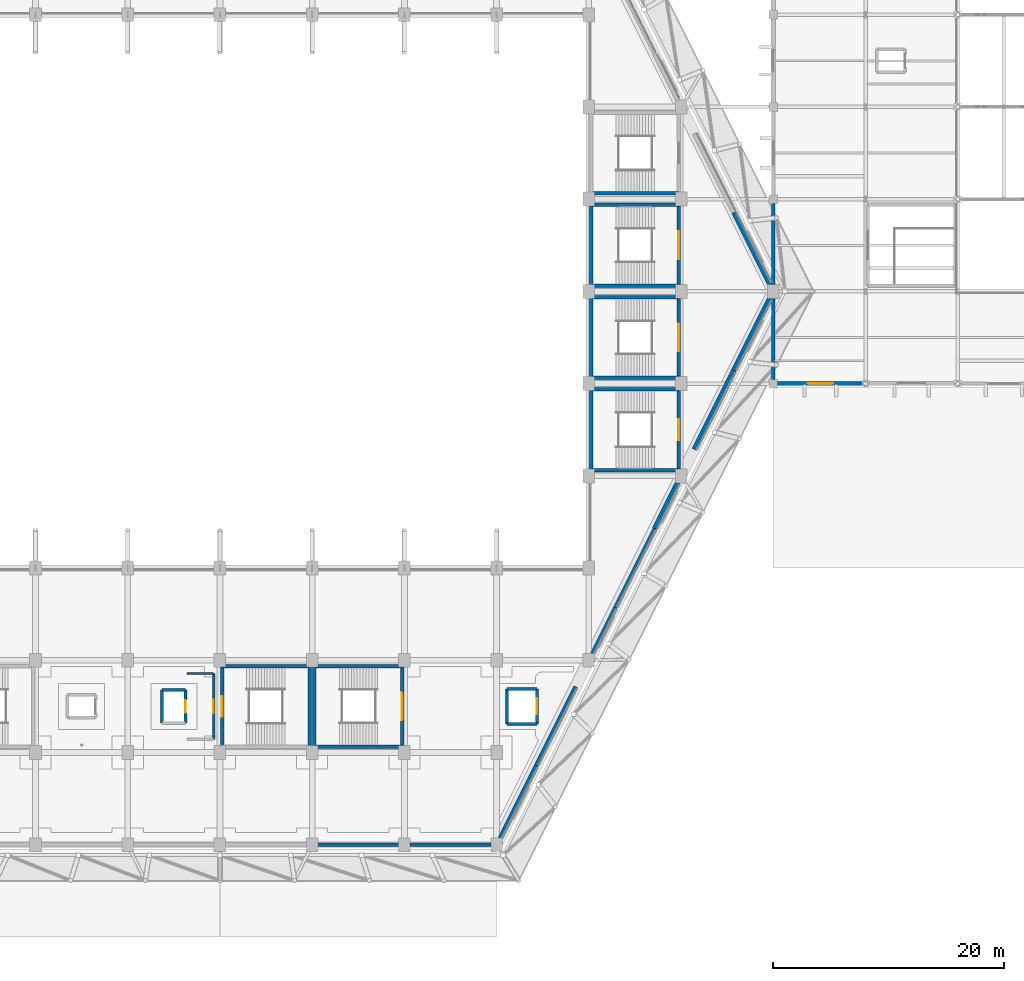
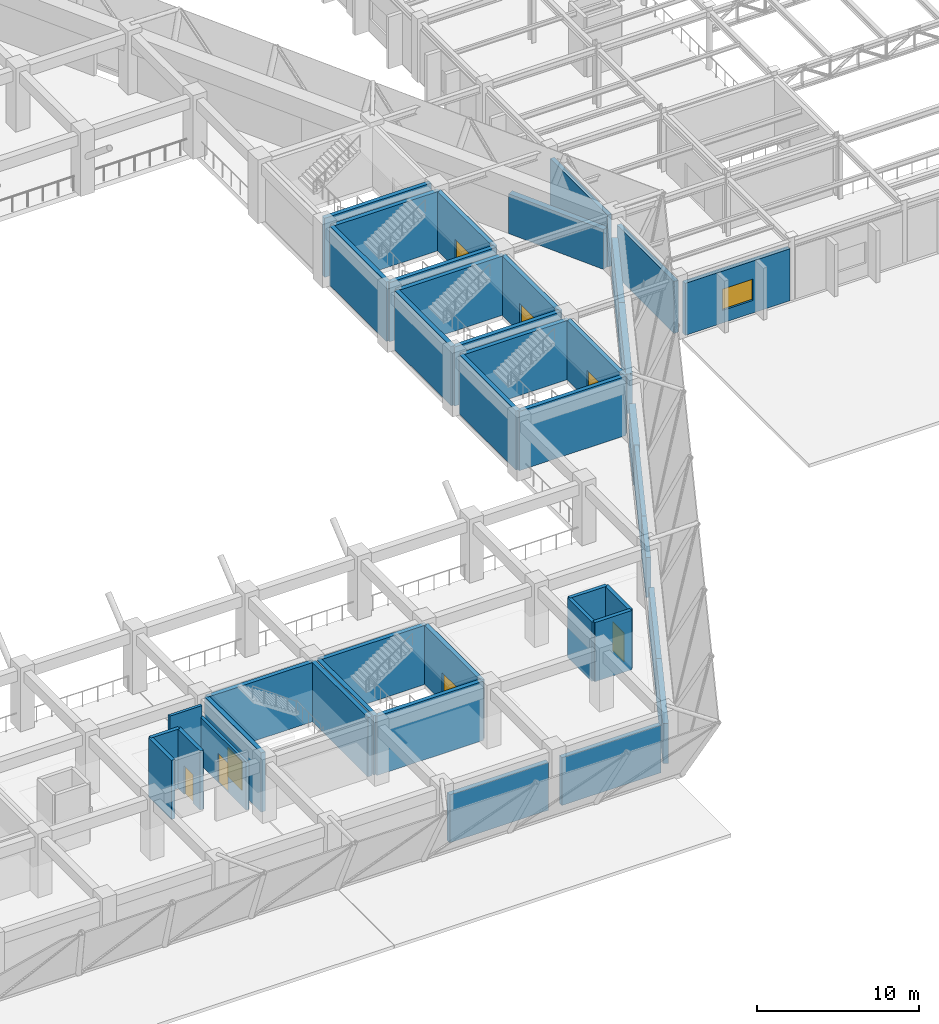
# One storey, part 31 of 46: 42 walls, 8 doors, 1 window, 9 openings.
"""IFC4 building model written with IfcOpenShell, lengths in metres."""

import ifcopenshell
import ifcopenshell.guid

model = None  # the IFC model being written
_history = None  # IfcOwnerHistory: only IFC2X3 demands one
_inside = {}  # id of a spatial element -> (the spatial element, [elements in it])
_under = {}  # id of a project, library or spatial element -> (it, [spatial elements below it])
_declared = {}  # id of a project -> (the project, [libraries it declares])
_typed = {}  # id of a type object -> (the type object, [elements of that type])
_made_of = {}  # id of a material, layer set ... -> (it, [elements and type objects made of it])


def new_model(schema):
    """Start an empty IFC model of exactly this schema.

    Asked for "IFC4X3", IfcOpenShell would pick the latest addendum, in which some entities
    have other attributes; the version numbers below select the first issue.
    IFC2X3 requires an IfcOwnerHistory on every rooted entity: one is made here for all.
    """
    global model, _history
    if schema == "IFC4X3":
        model = ifcopenshell.file(schema_version=(4, 3, 0, 0))
    else:
        model = ifcopenshell.file(schema=schema)
    _inside.clear()
    _under.clear()
    _declared.clear()
    _typed.clear()
    _made_of.clear()
    _history = None
    if model.schema == "IFC2X3":
        org = make("IfcOrganization", Name="unknown")
        user = make(
            "IfcPersonAndOrganization",
            ThePerson=make("IfcPerson", FamilyName="unknown"),
            TheOrganization=org,
        )
        app = make(
            "IfcApplication",
            ApplicationDeveloper=org,
            Version="unknown",
            ApplicationFullName="unknown",
            ApplicationIdentifier="unknown",
        )
        _history = make(
            "IfcOwnerHistory",
            OwningUser=user,
            OwningApplication=app,
            ChangeAction="ADDED",
            CreationDate=0,
        )
    return model


def make(cls, **values):
    """One entity of the class cls with the attributes given. An attribute that is None is left unset."""
    return model.create_entity(
        cls, **{name: value for name, value in values.items() if value is not None}
    )


def rooted(cls, **values):
    """An entity with a GlobalId (a new one), such as an element, a storey or a relation."""
    return make(cls, GlobalId=ifcopenshell.guid.new(), OwnerHistory=_history, **values)


def si_unit(unit_type, name, prefix=None):
    """IfcSIUnit, for example si_unit("LENGTHUNIT", "METRE", prefix="MILLI")."""
    return make("IfcSIUnit", UnitType=unit_type, Prefix=prefix, Name=name)


def assignment(units):
    """IfcUnitAssignment: the units of a project."""
    return None if units is None else make("IfcUnitAssignment", Units=units)


def point(xyz):
    """IfcCartesianPoint."""
    return None if xyz is None else make("IfcCartesianPoint", Coordinates=xyz)


def direction(xyz):
    """IfcDirection."""
    return None if xyz is None else make("IfcDirection", DirectionRatios=xyz)


def frame(location, z_axis=None, x_axis=None):
    """IfcAxis2Placement3D, a coordinate frame: its origin and axes. An axis left out is left unset."""
    return make(
        "IfcAxis2Placement3D",
        Location=point(location),
        Axis=direction(z_axis),
        RefDirection=direction(x_axis),
    )


def frame_2d(location, x_axis=None):
    """IfcAxis2Placement2D, a coordinate frame in the plane: its origin and x axis."""
    return make(
        "IfcAxis2Placement2D", Location=point(location), RefDirection=direction(x_axis)
    )


def origin():
    """The frame at (0, 0, 0) with its axes left unset."""
    return frame((0.0, 0.0, 0.0))


def place(relative_to, where):
    """IfcLocalPlacement: puts the frame where relative to a parent placement (None: the world)."""
    return make(
        "IfcLocalPlacement", PlacementRelTo=relative_to, RelativePlacement=where
    )


def context(
    kind, dimensions, precision=None, world=None, true_north=None, identifier=None
):
    """IfcGeometricRepresentationContext, for example the 3D "Model" context."""
    return make(
        "IfcGeometricRepresentationContext",
        ContextIdentifier=identifier,
        ContextType=kind,
        CoordinateSpaceDimension=dimensions,
        Precision=precision,
        WorldCoordinateSystem=world,
        TrueNorth=true_north,
    )


def subcontext(parent, identifier, kind, view, scale=None):
    """IfcGeometricRepresentationSubContext, for example "Body" below "Model"."""
    return make(
        "IfcGeometricRepresentationSubContext",
        ContextIdentifier=identifier,
        ContextType=kind,
        ParentContext=parent,
        TargetScale=scale,
        TargetView=view,
    )


def project(units=None, contexts=None):
    """IfcProject with its units and contexts."""
    return rooted(
        "IfcProject",
        Name="project",
        RepresentationContexts=contexts,
        UnitsInContext=assignment(units),
    )


def spatial(cls, under=None, at=None, **own):
    """A site, building, storey or space (cls), placed at a placement, below another one or the project."""
    s = rooted(cls, ObjectPlacement=at, **own)
    if under is not None:
        _under.setdefault(under.id(), (under, []))[1].append(s)
    return s


def profile(cls, at=None, kind="AREA", **sizes):
    """A parametric profile (cls). Its sizes go by their IFC names, for example OverallWidth=200.0."""
    return make(cls, ProfileType=kind, Position=at, **sizes)


def rectangle(**sizes):
    """IfcRectangleProfileDef."""
    return profile("IfcRectangleProfileDef", **sizes)


def extrude(swept, where, along, depth):
    """IfcExtrudedAreaSolid: the profile swept, set in the frame where, extruded along a direction by depth."""
    return make(
        "IfcExtrudedAreaSolid",
        SweptArea=swept,
        Position=where,
        ExtrudedDirection=direction(along),
        Depth=depth,
    )


def shape(context_of_items, identifier, shape_type, items):
    """IfcShapeRepresentation: the items that make up one representation, for example the "Body"."""
    return make(
        "IfcShapeRepresentation",
        ContextOfItems=context_of_items,
        RepresentationIdentifier=identifier,
        RepresentationType=shape_type,
        Items=items,
    )


def material(Name=None, Category=None):
    """IfcMaterial."""
    return make("IfcMaterial", Name=Name, Category=Category)


def layer(
    of_material, thickness, ventilated=None, Name=None, Category=None, Priority=None
):
    """IfcMaterialLayer: one layer of a wall or slab, of a material (None: an air gap)."""
    return make(
        "IfcMaterialLayer",
        Material=of_material,
        LayerThickness=thickness,
        IsVentilated=ventilated,
        Name=Name,
        Category=Category,
        Priority=Priority,
    )


def layer_set(layers, Name=None):
    """IfcMaterialLayerSet."""
    return make("IfcMaterialLayerSet", MaterialLayers=layers, LayerSetName=Name)


def made_of(thing, what):
    """Note that an element or type object is made of a material, layer set ...; save() writes the relation."""
    if what is not None:
        _made_of.setdefault(what.id(), (what, []))[1].append(thing)
    return thing


def type_object(cls, material=None, **own):
    """A type object (cls), such as IfcWallType, which elements share."""
    return made_of(rooted(cls, **own), material)


def element(
    cls,
    number,
    at=None,
    inside=None,
    cuts=None,
    type_object=None,
    material=None,
    context=None,
    identifier="Body",
    shape_type=None,
    held_by="IfcProductDefinitionShape",
    body=None,
    shapes=None,
    **own,
):
    """One element of the class cls, such as IfcWall. Its Tag is "e" and its number.

    at: its placement. inside: the storey or other place that contains it. cuts: it is an
    opening in that element (IfcRelVoidsElement). A single representation is given by context,
    identifier, shape_type and body (its items); several are given by shapes. held_by: the class
    of the entity that holds the representations. save() writes the other relations.
    """
    e = rooted(cls, Tag="e%d" % number, ObjectPlacement=at, **own)
    if body is not None:
        shapes = [shape(context, identifier, shape_type, body)]
    if shapes is not None:
        e.Representation = make(held_by, Representations=shapes)
    if inside is not None:
        _inside.setdefault(inside.id(), (inside, []))[1].append(e)
    if cuts is not None:
        rooted(
            "IfcRelVoidsElement", RelatingBuildingElement=cuts, RelatedOpeningElement=e
        )
    if type_object is not None:
        _typed.setdefault(type_object.id(), (type_object, []))[1].append(e)
    return made_of(e, material)


def fill(opening, filler):
    """IfcRelFillsElement: the door or window that sits in an opening."""
    return rooted(
        "IfcRelFillsElement",
        RelatingOpeningElement=opening,
        RelatedBuildingElement=filler,
    )


def aggregate(whole, parts):
    """IfcRelAggregates: a whole, such as a stair, and the parts it consists of."""
    return rooted("IfcRelAggregates", RelatingObject=whole, RelatedObjects=parts)


def save(model, path):
    """Write the relations noted so far, then the file.

    IfcRelAggregates (storeys below a building ...), IfcRelContainedInSpatialStructure (elements
    in a storey), IfcRelDefinesByType, IfcRelAssociatesMaterial and IfcRelDeclares: one each for
    every whole, place, type object, material and project.
    """
    for whole, parts in _under.values():
        aggregate(whole, parts)
    for where, things in _inside.values():
        rooted(
            "IfcRelContainedInSpatialStructure",
            RelatedElements=things,
            RelatingStructure=where,
        )
    for kind, things in _typed.values():
        rooted("IfcRelDefinesByType", RelatedObjects=things, RelatingType=kind)
    for what, things in _made_of.values():
        rooted("IfcRelAssociatesMaterial", RelatedObjects=things, RelatingMaterial=what)
    for by, libraries in _declared.values():
        rooted("IfcRelDeclares", RelatingContext=by, RelatedDefinitions=libraries)
    model.write(path)


model = new_model("IFC4")

# Units and contexts
model_context = context("Model", 3, precision=1e-05, world=origin(), true_north=direction((0.0, 1.0)))
body_context = subcontext(model_context, "Body", "Model", "MODEL_VIEW")
ifc_project = project(units=[si_unit("LENGTHUNIT", "METRE"), si_unit("AREAUNIT", "SQUARE_METRE"), si_unit("VOLUMEUNIT", "CUBIC_METRE"), si_unit("PLANEANGLEUNIT", "RADIAN"), si_unit("MASSUNIT", "GRAM", prefix="KILO")], contexts=[model_context])

# Site, building, storey
site_placement = place(None, origin())
site = spatial("IfcSite", under=ifc_project, at=site_placement, CompositionType="ELEMENT")
building_placement = place(site_placement, origin())
building = spatial("IfcBuilding", under=site, at=building_placement, Name="Tazarka Park Arena", CompositionType="ELEMENT")
storey_placement = place(building_placement, frame((0.0, 0.0, 10.199951171875)))
storey = spatial("IfcBuildingStorey", under=building, at=storey_placement, Name="L02", CompositionType="ELEMENT", Elevation=10.199951171875)

# Walls
ifc_material_1 = material(Name="Concrete C40/50", Category="concrete")
ifc_layer_1 = layer(ifc_material_1, 0.300048828125, Name="Concrete C40/50")
ifc_layer_set_1 = layer_set([ifc_layer_1], Name="Concrete C40/50")
wall_type_1 = type_object("IfcWallType", Name="IWAL-CW-S1", PredefinedType="SHEAR", material=ifc_layer_set_1)
wall_1_placement = place(storey_placement, frame((103.800048828125, 24.5, 0.0), z_axis=(0.0, 0.0, 1.0), x_axis=(-1.0, 0.0, 0.0)))
element("IfcWall", 1, at=wall_1_placement, inside=storey, type_object=wall_type_1, Name="SCW-L02-ST11-S", PredefinedType="SHEAR", context=body_context, shape_type="SweptSolid", body=[
    extrude(rectangle(XDim=7.60009765625, YDim=0.300048828125, at=frame_2d((3.800048828125, 0.0))), origin(), (0.0, 0.0, 1.0), 4.4599609375),
])
wall_2_placement = place(storey_placement, frame((96.199951171875, 24.5, 0.0), z_axis=(0.0, 0.0, 1.0), x_axis=(0.0, 1.0, 0.0)))
element("IfcWall", 2, at=wall_2_placement, inside=storey, type_object=wall_type_1, Name="SCW-L02-ST11-W", PredefinedType="SHEAR", context=body_context, shape_type="SweptSolid", body=[
    extrude(rectangle(XDim=7.0, YDim=0.300048828125, at=frame_2d((3.5, 0.0))), origin(), (0.0, 0.0, 1.0), 4.4599609375),
])
wall_3_placement = place(storey_placement, frame((96.199951171875, 31.5, 0.0), z_axis=(0.0, 0.0, 1.0), x_axis=(1.0, 0.0, 0.0)))
element("IfcWall", 3, at=wall_3_placement, inside=storey, type_object=wall_type_1, Name="SCW-L02-ST11-N", PredefinedType="SHEAR", context=body_context, shape_type="SweptSolid", body=[
    extrude(rectangle(XDim=7.60009765625, YDim=0.300048828125, at=frame_2d((3.800048828125, 0.0))), origin(), (0.0, 0.0, 1.0), 4.4599609375),
])

# Wall, opening, door
wall_4_placement = place(storey_placement, frame((103.800048828125, 31.5, 0.0), z_axis=(0.0, 0.0, 1.0), x_axis=(0.0, -1.0, 0.0)))
wall_4 = element("IfcWall", 4, at=wall_4_placement, inside=storey, type_object=wall_type_1, Name="SCW-L02-ST11-E", PredefinedType="SHEAR", context=body_context, shape_type="SweptSolid", body=[
    extrude(rectangle(XDim=7.0, YDim=0.300048828125, at=frame_2d((3.5, 0.0))), origin(), (0.0, 0.0, 1.0), 4.4599609375),
])
opening_1_placement = place(wall_4_placement, frame((2.300048828125, 0.0, 0.0)))
opening_1 = element("IfcOpeningElement", 5, at=opening_1_placement, cuts=wall_4, Name="Opening ID-05", PredefinedType="OPENING", context=body_context, shape_type="SweptSolid", body=[
    extrude(rectangle(XDim=2.39990234375, YDim=2.199951171875, at=frame_2d((1.199951171875, 1.10009765625))), frame((0.0, 0.16015625, 0.0), z_axis=(0.0, -1.0, 0.0), x_axis=(1.0, 0.0, 0.0)), (0.0, 0.0, 1.0), 0.320068359375),
])
ifc_material_2 = material(Name="Fire-rated powder-coated steel and acoustic timber", Category="steel")
door_type_1 = type_object("IfcDoorType", Name="IDR-ID-05", OperationType="NOTDEFINED", PredefinedType="DOOR", material=ifc_material_2)
door_1_placement = place(opening_1_placement, frame((2.39990234375, 0.0, 0.0), z_axis=(0.0, 0.0, 1.0), x_axis=(-1.0, 0.0, 0.0)))
door_1 = element("IfcDoor", 6, at=door_1_placement, inside=storey, type_object=door_type_1, Name="Exit Stair Door ST11-L02", OperationType="DOUBLE_DOOR_SINGLE_SWING", OverallHeight=2.199951171875, OverallWidth=2.39990234375, PredefinedType="DOOR", context=body_context, shape_type="SweptSolid", body=[
    extrude(rectangle(XDim=2.39990234375, YDim=2.199951171875, at=frame_2d((1.199951171875, 1.10009765625))), frame((0.0, 0.02490234375, 0.0), z_axis=(0.0, -1.0, 0.0), x_axis=(1.0, 0.0, 0.0)), (0.0, 0.0, 1.0), 0.050048828125),
])
fill(opening_1, door_1)

# Walls
wall_5_placement = place(storey_placement, frame((127.800048828125, 56.5, 0.0), z_axis=(0.0, 0.0, 1.0), x_axis=(-1.0, 0.0, 0.0)))
element("IfcWall", 7, at=wall_5_placement, inside=storey, type_object=wall_type_1, Name="SCW-L02-ST12-S", PredefinedType="SHEAR", context=body_context, shape_type="SweptSolid", body=[
    extrude(rectangle(XDim=7.60009765625, YDim=0.300048828125, at=frame_2d((3.800048828125, 0.0))), origin(), (0.0, 0.0, 1.0), 4.4599609375),
])
wall_6_placement = place(storey_placement, frame((120.199951171875, 56.5, 0.0), z_axis=(0.0, 0.0, 1.0), x_axis=(0.0, 1.0, 0.0)))
element("IfcWall", 8, at=wall_6_placement, inside=storey, type_object=wall_type_1, Name="SCW-L02-ST12-W", PredefinedType="SHEAR", context=body_context, shape_type="SweptSolid", body=[
    extrude(rectangle(XDim=7.0, YDim=0.300048828125, at=frame_2d((3.5, 0.0))), origin(), (0.0, 0.0, 1.0), 4.4599609375),
])
wall_7_placement = place(storey_placement, frame((120.199951171875, 63.5, 0.0), z_axis=(0.0, 0.0, 1.0), x_axis=(1.0, 0.0, 0.0)))
element("IfcWall", 9, at=wall_7_placement, inside=storey, type_object=wall_type_1, Name="SCW-L02-ST12-N", PredefinedType="SHEAR", context=body_context, shape_type="SweptSolid", body=[
    extrude(rectangle(XDim=7.60009765625, YDim=0.300048828125, at=frame_2d((3.800048828125, 0.0))), origin(), (0.0, 0.0, 1.0), 4.4599609375),
])

# Wall, opening, door
wall_8_placement = place(storey_placement, frame((127.800048828125, 63.5, 0.0), z_axis=(0.0, 0.0, 1.0), x_axis=(0.0, -1.0, 0.0)))
wall_8 = element("IfcWall", 10, at=wall_8_placement, inside=storey, type_object=wall_type_1, Name="SCW-L02-ST12-E", PredefinedType="SHEAR", context=body_context, shape_type="SweptSolid", body=[
    extrude(rectangle(XDim=7.0, YDim=0.300048828125, at=frame_2d((3.5, 0.0))), origin(), (0.0, 0.0, 1.0), 4.4599609375),
])
opening_2_placement = place(wall_8_placement, frame((2.300048828125, 0.0, 0.0)))
opening_2 = element("IfcOpeningElement", 11, at=opening_2_placement, cuts=wall_8, Name="Opening ID-05", PredefinedType="OPENING", context=body_context, shape_type="SweptSolid", body=[
    extrude(rectangle(XDim=2.39990234375, YDim=2.199951171875, at=frame_2d((1.199951171875, 1.10009765625))), frame((0.0, 0.16015625, 0.0), z_axis=(0.0, -1.0, 0.0), x_axis=(1.0, 0.0, 0.0)), (0.0, 0.0, 1.0), 0.320068359375),
])
door_2_placement = place(opening_2_placement, frame((2.39990234375, 0.0, 0.0), z_axis=(0.0, 0.0, 1.0), x_axis=(-1.0, 0.0, 0.0)))
door_2 = element("IfcDoor", 12, at=door_2_placement, inside=storey, type_object=door_type_1, Name="Exit Stair Door ST12-L02", OperationType="DOUBLE_DOOR_SINGLE_SWING", OverallHeight=2.199951171875, OverallWidth=2.39990234375, PredefinedType="DOOR", context=body_context, shape_type="SweptSolid", body=[
    extrude(rectangle(XDim=2.39990234375, YDim=2.199951171875, at=frame_2d((1.199951171875, 1.10009765625))), frame((0.0, 0.02490234375, 0.0), z_axis=(0.0, -1.0, 0.0), x_axis=(1.0, 0.0, 0.0)), (0.0, 0.0, 1.0), 0.050048828125),
])
fill(opening_2, door_2)

# Walls
wall_9_placement = place(storey_placement, frame((127.800048828125, 64.5, 0.0), z_axis=(0.0, 0.0, 1.0), x_axis=(-1.0, 0.0, 0.0)))
element("IfcWall", 13, at=wall_9_placement, inside=storey, type_object=wall_type_1, Name="SCW-L02-ST16-S", PredefinedType="SHEAR", context=body_context, shape_type="SweptSolid", body=[
    extrude(rectangle(XDim=7.60009765625, YDim=0.300048828125, at=frame_2d((3.800048828125, 0.0))), origin(), (0.0, 0.0, 1.0), 4.4599609375),
])
wall_10_placement = place(storey_placement, frame((120.199951171875, 64.5, 0.0), z_axis=(0.0, 0.0, 1.0), x_axis=(0.0, 1.0, 0.0)))
element("IfcWall", 14, at=wall_10_placement, inside=storey, type_object=wall_type_1, Name="SCW-L02-ST16-W", PredefinedType="SHEAR", context=body_context, shape_type="SweptSolid", body=[
    extrude(rectangle(XDim=7.0, YDim=0.300048828125, at=frame_2d((3.5, 0.0))), origin(), (0.0, 0.0, 1.0), 4.4599609375),
])
wall_11_placement = place(storey_placement, frame((120.199951171875, 71.5, 0.0), z_axis=(0.0, 0.0, 1.0), x_axis=(1.0, 0.0, 0.0)))
element("IfcWall", 15, at=wall_11_placement, inside=storey, type_object=wall_type_1, Name="SCW-L02-ST16-N", PredefinedType="SHEAR", context=body_context, shape_type="SweptSolid", body=[
    extrude(rectangle(XDim=7.60009765625, YDim=0.300048828125, at=frame_2d((3.800048828125, 0.0))), origin(), (0.0, 0.0, 1.0), 4.4599609375),
])

# Wall, opening, door
wall_12_placement = place(storey_placement, frame((127.800048828125, 71.5, 0.0), z_axis=(0.0, 0.0, 1.0), x_axis=(0.0, -1.0, 0.0)))
wall_12 = element("IfcWall", 16, at=wall_12_placement, inside=storey, type_object=wall_type_1, Name="SCW-L02-ST16-E", PredefinedType="SHEAR", context=body_context, shape_type="SweptSolid", body=[
    extrude(rectangle(XDim=7.0, YDim=0.300048828125, at=frame_2d((3.5, 0.0))), origin(), (0.0, 0.0, 1.0), 4.4599609375),
])
opening_3_placement = place(wall_12_placement, frame((2.300048828125, 0.0, 0.0)))
opening_3 = element("IfcOpeningElement", 17, at=opening_3_placement, cuts=wall_12, Name="Opening ID-05", PredefinedType="OPENING", context=body_context, shape_type="SweptSolid", body=[
    extrude(rectangle(XDim=2.39990234375, YDim=2.199951171875, at=frame_2d((1.199951171875, 1.10009765625))), frame((0.0, 0.16015625, 0.0), z_axis=(0.0, -1.0, 0.0), x_axis=(1.0, 0.0, 0.0)), (0.0, 0.0, 1.0), 0.320068359375),
])
door_3_placement = place(opening_3_placement, frame((2.39990234375, 0.0, 0.0), z_axis=(0.0, 0.0, 1.0), x_axis=(-1.0, 0.0, 0.0)))
door_3 = element("IfcDoor", 18, at=door_3_placement, inside=storey, type_object=door_type_1, Name="Exit Stair Door ST16-L02", OperationType="DOUBLE_DOOR_SINGLE_SWING", OverallHeight=2.199951171875, OverallWidth=2.39990234375, PredefinedType="DOOR", context=body_context, shape_type="SweptSolid", body=[
    extrude(rectangle(XDim=2.39990234375, YDim=2.199951171875, at=frame_2d((1.199951171875, 1.10009765625))), frame((0.0, 0.02490234375, 0.0), z_axis=(0.0, -1.0, 0.0), x_axis=(1.0, 0.0, 0.0)), (0.0, 0.0, 1.0), 0.050048828125),
])
fill(opening_3, door_3)

# Walls
wall_13_placement = place(storey_placement, frame((127.800048828125, 48.5, 0.0), z_axis=(0.0, 0.0, 1.0), x_axis=(-1.0, 0.0, 0.0)))
element("IfcWall", 19, at=wall_13_placement, inside=storey, type_object=wall_type_1, Name="SCW-L02-ST21-S", PredefinedType="SHEAR", context=body_context, shape_type="SweptSolid", body=[
    extrude(rectangle(XDim=7.60009765625, YDim=0.300048828125, at=frame_2d((3.800048828125, 0.0))), origin(), (0.0, 0.0, 1.0), 4.4599609375),
])
wall_14_placement = place(storey_placement, frame((120.199951171875, 48.5, 0.0), z_axis=(0.0, 0.0, 1.0), x_axis=(0.0, 1.0, 0.0)))
element("IfcWall", 20, at=wall_14_placement, inside=storey, type_object=wall_type_1, Name="SCW-L02-ST21-W", PredefinedType="SHEAR", context=body_context, shape_type="SweptSolid", body=[
    extrude(rectangle(XDim=7.0, YDim=0.300048828125, at=frame_2d((3.5, 0.0))), origin(), (0.0, 0.0, 1.0), 4.4599609375),
])
wall_15_placement = place(storey_placement, frame((120.199951171875, 55.5, 0.0), z_axis=(0.0, 0.0, 1.0), x_axis=(1.0, 0.0, 0.0)))
element("IfcWall", 21, at=wall_15_placement, inside=storey, type_object=wall_type_1, Name="SCW-L02-ST21-N", PredefinedType="SHEAR", context=body_context, shape_type="SweptSolid", body=[
    extrude(rectangle(XDim=7.60009765625, YDim=0.300048828125, at=frame_2d((3.800048828125, 0.0))), origin(), (0.0, 0.0, 1.0), 4.4599609375),
])

# Wall, opening, door
wall_16_placement = place(storey_placement, frame((127.800048828125, 55.5, 0.0), z_axis=(0.0, 0.0, 1.0), x_axis=(0.0, -1.0, 0.0)))
wall_16 = element("IfcWall", 22, at=wall_16_placement, inside=storey, type_object=wall_type_1, Name="SCW-L02-ST21-E", PredefinedType="SHEAR", context=body_context, shape_type="SweptSolid", body=[
    extrude(rectangle(XDim=7.0, YDim=0.300048828125, at=frame_2d((3.5, 0.0))), origin(), (0.0, 0.0, 1.0), 4.4599609375),
])
opening_4_placement = place(wall_16_placement, frame((2.60009765625, 0.0, 0.0)))
opening_4 = element("IfcOpeningElement", 23, at=opening_4_placement, cuts=wall_16, Name="Opening ID-04", PredefinedType="OPENING", context=body_context, shape_type="SweptSolid", body=[
    extrude(rectangle(XDim=1.800048828125, YDim=2.199951171875, at=frame_2d((0.89990234375, 1.10009765625))), frame((0.0, 0.16015625, 0.0), z_axis=(0.0, -1.0, 0.0), x_axis=(1.0, 0.0, 0.0)), (0.0, 0.0, 1.0), 0.320068359375),
])
ifc_material_3 = material(Name="Fire-rated powder-coated steel and acoustic timber", Category="steel")
door_type_2 = type_object("IfcDoorType", Name="IDR-ID-04", OperationType="NOTDEFINED", PredefinedType="DOOR", material=ifc_material_3)
door_4_placement = place(opening_4_placement, frame((1.800048828125, 0.0, 0.0), z_axis=(0.0, 0.0, 1.0), x_axis=(-1.0, 0.0, 0.0)))
door_4 = element("IfcDoor", 24, at=door_4_placement, inside=storey, type_object=door_type_2, Name="Vomitory Stair Door ST21-L02", OperationType="DOUBLE_DOOR_SINGLE_SWING", OverallHeight=2.199951171875, OverallWidth=1.800048828125, PredefinedType="DOOR", context=body_context, shape_type="SweptSolid", body=[
    extrude(rectangle(XDim=1.800048828125, YDim=2.199951171875, at=frame_2d((0.89990234375, 1.10009765625))), frame((0.0, 0.02490234375, 0.0), z_axis=(0.0, -1.0, 0.0), x_axis=(1.0, 0.0, 0.0)), (0.0, 0.0, 1.0), 0.050048828125),
])
fill(opening_4, door_4)

# Wall
wall_17_placement = place(storey_placement, frame((127.800048828125, 72.5, 0.0), z_axis=(0.0, 0.0, 1.0), x_axis=(-1.0, 0.0, 0.0)))
element("IfcWall", 25, at=wall_17_placement, inside=storey, type_object=wall_type_1, Name="SCW-L02-ST22-S", PredefinedType="SHEAR", context=body_context, shape_type="SweptSolid", body=[
    extrude(rectangle(XDim=7.60009765625, YDim=0.300048828125, at=frame_2d((3.800048828125, 0.0))), origin(), (0.0, 0.0, 1.0), 4.4599609375),
])

# Wall, opening, door
wall_18_placement = place(storey_placement, frame((88.199951171875, 24.5, 0.0), z_axis=(0.0, 0.0, 1.0), x_axis=(0.0, 1.0, 0.0)))
wall_18 = element("IfcWall", 26, at=wall_18_placement, inside=storey, type_object=wall_type_1, Name="SCW-L02-ST23-W", PredefinedType="SHEAR", context=body_context, shape_type="SweptSolid", body=[
    extrude(rectangle(XDim=7.0, YDim=0.300048828125, at=frame_2d((3.5, 0.0))), origin(), (0.0, 0.0, 1.0), 4.4599609375),
])
opening_5_placement = place(wall_18_placement, frame((2.60009765625, 0.0, 0.0)))
opening_5 = element("IfcOpeningElement", 27, at=opening_5_placement, cuts=wall_18, Name="Opening ID-04", PredefinedType="OPENING", context=body_context, shape_type="SweptSolid", body=[
    extrude(rectangle(XDim=1.800048828125, YDim=2.199951171875, at=frame_2d((0.89990234375, 1.10009765625))), frame((0.0, 0.16015625, 0.0), z_axis=(0.0, -1.0, 0.0), x_axis=(1.0, 0.0, 0.0)), (0.0, 0.0, 1.0), 0.320068359375),
])
door_5_placement = place(opening_5_placement, frame((1.800048828125, 0.0, 0.0), z_axis=(0.0, 0.0, 1.0), x_axis=(-1.0, 0.0, 0.0)))
door_5 = element("IfcDoor", 28, at=door_5_placement, inside=storey, type_object=door_type_2, Name="Vomitory Stair Door ST23-L02", OperationType="DOUBLE_DOOR_SINGLE_SWING", OverallHeight=2.199951171875, OverallWidth=1.800048828125, PredefinedType="DOOR", context=body_context, shape_type="SweptSolid", body=[
    extrude(rectangle(XDim=1.800048828125, YDim=2.199951171875, at=frame_2d((0.89990234375, 1.10009765625))), frame((0.0, 0.02490234375, 0.0), z_axis=(0.0, -1.0, 0.0), x_axis=(1.0, 0.0, 0.0)), (0.0, 0.0, 1.0), 0.050048828125),
])
fill(opening_5, door_5)

# Walls
wall_19_placement = place(storey_placement, frame((88.199951171875, 31.5, 0.0), z_axis=(0.0, 0.0, 1.0), x_axis=(1.0, 0.0, 0.0)))
element("IfcWall", 29, at=wall_19_placement, inside=storey, type_object=wall_type_1, Name="SCW-L02-ST23-N", PredefinedType="SHEAR", context=body_context, shape_type="SweptSolid", body=[
    extrude(rectangle(XDim=7.60009765625, YDim=0.300048828125, at=frame_2d((3.800048828125, 0.0))), origin(), (0.0, 0.0, 1.0), 4.4599609375),
])
wall_20_placement = place(storey_placement, frame((95.800048828125, 31.5, 0.0), z_axis=(0.0, 0.0, 1.0), x_axis=(0.0, -1.0, 0.0)))
element("IfcWall", 30, at=wall_20_placement, inside=storey, type_object=wall_type_1, Name="SCW-L02-ST23-E", PredefinedType="SHEAR", context=body_context, shape_type="SweptSolid", body=[
    extrude(rectangle(XDim=7.0, YDim=0.300048828125, at=frame_2d((3.5, 0.0))), origin(), (0.0, 0.0, 1.0), 4.4599609375),
])
ifc_material_4 = material(Name="Concrete C40/50", Category="concrete")
ifc_layer_2 = layer(ifc_material_4, 0.260009765625, Name="Concrete C40/50")
ifc_layer_set_2 = layer_set([ifc_layer_2], Name="Concrete C40/50")
wall_type_2 = type_object("IfcWallType", Name="IWAL-CW-S3", PredefinedType="SHEAR", material=ifc_layer_set_2)
wall_21_placement = place(storey_placement, frame((82.97998046875, 26.580078125, 0.0), z_axis=(0.0, 0.0, 1.0), x_axis=(0.0, 1.0, 0.0)))
element("IfcWall", 31, at=wall_21_placement, inside=storey, type_object=wall_type_2, Name="LSW-L02-LF-04-W", PredefinedType="SHEAR", context=body_context, shape_type="SweptSolid", body=[
    extrude(rectangle(XDim=2.83984375, YDim=0.260009765625, at=frame_2d((1.419921875, 0.0))), origin(), (0.0, 0.0, 1.0), 4.4599609375),
])
wall_22_placement = place(storey_placement, frame((82.97998046875, 29.419921875, 0.0), z_axis=(0.0, 0.0, 1.0), x_axis=(1.0, 0.0, 0.0)))
element("IfcWall", 32, at=wall_22_placement, inside=storey, type_object=wall_type_2, Name="LSW-L02-LF-04-N", PredefinedType="SHEAR", context=body_context, shape_type="SweptSolid", body=[
    extrude(rectangle(XDim=2.0400390625, YDim=0.260009765625, at=frame_2d((1.02001953125, 0.0))), origin(), (0.0, 0.0, 1.0), 4.4599609375),
])

# Wall, opening, door
wall_23_placement = place(storey_placement, frame((85.02001953125, 29.419921875, 0.0), z_axis=(0.0, 0.0, 1.0), x_axis=(0.0, -1.0, 0.0)))
wall_23 = element("IfcWall", 33, at=wall_23_placement, inside=storey, type_object=wall_type_2, Name="LSW-L02-LF-04-E", PredefinedType="SHEAR", context=body_context, shape_type="SweptSolid", body=[
    extrude(rectangle(XDim=2.83984375, YDim=0.260009765625, at=frame_2d((1.419921875, 0.0))), origin(), (0.0, 0.0, 1.0), 4.4599609375),
])
opening_6_placement = place(wall_23_placement, frame((0.8701171875, 0.0, 0.0)))
opening_6 = element("IfcOpeningElement", 34, at=opening_6_placement, cuts=wall_23, Name="Opening LD-01", PredefinedType="OPENING", context=body_context, shape_type="SweptSolid", body=[
    extrude(rectangle(XDim=1.10009765625, YDim=2.14990234375, at=frame_2d((0.550048828125, 1.074951171875))), frame((0.0, 0.14013671875, 0.0), z_axis=(0.0, -1.0, 0.0), x_axis=(1.0, 0.0, 0.0)), (0.0, 0.0, 1.0), 0.280029296875),
])
ifc_material_5 = material(Name="Fire-rated powder-coated steel and acoustic timber", Category="steel")
door_type_3 = type_object("IfcDoorType", Name="IDR-LD-01", OperationType="NOTDEFINED", PredefinedType="DOOR", material=ifc_material_5)
door_6_placement = place(opening_6_placement, origin())
door_6 = element("IfcDoor", 35, at=door_6_placement, inside=storey, type_object=door_type_3, Name="Lift Landing Door LF-04-L02", OperationType="SLIDING_TO_LEFT", OverallHeight=2.14990234375, OverallWidth=1.10009765625, PredefinedType="DOOR", context=body_context, shape_type="SweptSolid", body=[
    extrude(rectangle(XDim=1.10009765625, YDim=2.14990234375, at=frame_2d((0.550048828125, 1.074951171875))), frame((0.0, 0.02490234375, 0.0), z_axis=(0.0, -1.0, 0.0), x_axis=(1.0, 0.0, 0.0)), (0.0, 0.0, 1.0), 0.050048828125),
])
fill(opening_6, door_6)

# Walls
wall_24_placement = place(storey_placement, frame((112.8798828125, 26.47998046875, 0.0), z_axis=(0.0, 0.0, 1.0), x_axis=(0.0, 1.0, 0.0)))
element("IfcWall", 36, at=wall_24_placement, inside=storey, type_object=wall_type_2, Name="LSW-L02-LF-11-W", PredefinedType="SHEAR", context=body_context, shape_type="SweptSolid", body=[
    extrude(rectangle(XDim=3.0400390625, YDim=0.260009765625, at=frame_2d((1.52001953125, 0.0))), origin(), (0.0, 0.0, 1.0), 4.4599609375),
])
for number, where, z_axis, x_axis, name in (
    (37, (112.8798828125, 29.52001953125, 0.0), (0.0, 0.0, 1.0), (1.0, 0.0, 0.0), "LSW-L02-LF-11-N"),
    (38, (115.52001953125, 26.47998046875, 0.0), (0.0, 0.0, 1.0), (-1.0, 0.0, 0.0), "LSW-L02-LF-11-S"),
):
    element("IfcWall", number, at=place(storey_placement, frame(where, z_axis=z_axis, x_axis=x_axis)), inside=storey, type_object=wall_type_2, Name=name, PredefinedType="SHEAR", context=body_context, shape_type="SweptSolid", body=[
        extrude(rectangle(XDim=2.64013671875, YDim=0.260009765625, at=frame_2d((1.320068359375, 0.0))), origin(), (0.0, 0.0, 1.0), 4.4599609375),
    ])

# Wall, opening, door
wall_25_placement = place(storey_placement, frame((115.52001953125, 29.52001953125, 0.0), z_axis=(0.0, 0.0, 1.0), x_axis=(0.0, -1.0, 0.0)))
wall_25 = element("IfcWall", 39, at=wall_25_placement, inside=storey, type_object=wall_type_2, Name="LSW-L02-LF-11-E", PredefinedType="SHEAR", context=body_context, shape_type="SweptSolid", body=[
    extrude(rectangle(XDim=3.0400390625, YDim=0.260009765625, at=frame_2d((1.52001953125, 0.0))), origin(), (0.0, 0.0, 1.0), 4.4599609375),
])
opening_7_placement = place(wall_25_placement, frame((0.820068359375, 0.0, 0.0)))
opening_7 = element("IfcOpeningElement", 40, at=opening_7_placement, cuts=wall_25, Name="Opening LD-03", PredefinedType="OPENING", context=body_context, shape_type="SweptSolid", body=[
    extrude(rectangle(XDim=1.39990234375, YDim=2.199951171875, at=frame_2d((0.699951171875, 1.10009765625))), frame((0.0, 0.14013671875, 0.0), z_axis=(0.0, -1.0, 0.0), x_axis=(1.0, 0.0, 0.0)), (0.0, 0.0, 1.0), 0.280029296875),
])
ifc_material_6 = material(Name="Fire-rated powder-coated steel and acoustic timber", Category="steel")
door_type_4 = type_object("IfcDoorType", Name="IDR-LD-03", OperationType="NOTDEFINED", PredefinedType="DOOR", material=ifc_material_6)
door_7_placement = place(opening_7_placement, origin())
door_7 = element("IfcDoor", 41, at=door_7_placement, inside=storey, type_object=door_type_4, Name="Lift Landing Door LF-11-L02", OperationType="SLIDING_TO_LEFT", OverallHeight=2.199951171875, OverallWidth=1.39990234375, PredefinedType="DOOR", context=body_context, shape_type="SweptSolid", body=[
    extrude(rectangle(XDim=1.39990234375, YDim=2.199951171875, at=frame_2d((0.699951171875, 1.10009765625))), frame((0.0, 0.02490234375, 0.0), z_axis=(0.0, -1.0, 0.0), x_axis=(1.0, 0.0, 0.0)), (0.0, 0.0, 1.0), 0.050048828125),
])
fill(opening_7, door_7)

# Wall
ifc_material_7 = material(Name="Reinforced masonry compartment wall", Category="masonry")
ifc_layer_3 = layer(ifc_material_7, 0.199951171875, Name="Reinforced masonry compartment wall")
ifc_layer_set_3 = layer_set([ifc_layer_3], Name="Reinforced masonry compartment wall")
wall_type_3 = type_object("IfcWallType", Name="IWAL-PT-04", PredefinedType="PARTITIONING", material=ifc_layer_set_3)
wall_26_placement = place(storey_placement, frame((85.14990234375, 30.85009765625, 0.0), z_axis=(0.0, 0.0, 1.0), x_axis=(1.0, 0.0, 0.0)))
element("IfcWall", 42, at=wall_26_placement, inside=storey, type_object=wall_type_3, Name="FFW-L02-LF-04-N", PredefinedType="PARTITIONING", context=body_context, shape_type="SweptSolid", body=[
    extrude(rectangle(XDim=2.300048828125, YDim=0.199951171875, at=frame_2d((1.14990234375, 0.0))), origin(), (0.0, 0.0, 1.0), 4.4599609375),
])

# Wall, opening, door
wall_27_placement = place(storey_placement, frame((87.449951171875, 30.85009765625, 0.0), z_axis=(0.0, 0.0, 1.0), x_axis=(0.0, -1.0, 0.0)))
wall_27 = element("IfcWall", 43, at=wall_27_placement, inside=storey, type_object=wall_type_3, Name="FFW-L02-LF-04-E", PredefinedType="PARTITIONING", context=body_context, shape_type="SweptSolid", body=[
    extrude(rectangle(XDim=5.7001953125, YDim=0.199951171875, at=frame_2d((2.85009765625, 0.0))), origin(), (0.0, 0.0, 1.0), 3.60009765625),
])
opening_8_placement = place(wall_27_placement, frame((2.25, 0.0, 0.0)))
opening_8 = element("IfcOpeningElement", 44, at=opening_8_placement, cuts=wall_27, Name="Opening ID-03", PredefinedType="OPENING", context=body_context, shape_type="SweptSolid", body=[
    extrude(rectangle(XDim=1.199951171875, YDim=2.199951171875, at=frame_2d((0.60009765625, 1.10009765625))), frame((0.0, 0.10986328125, 0.0), z_axis=(0.0, -1.0, 0.0), x_axis=(1.0, 0.0, 0.0)), (0.0, 0.0, 1.0), 0.219970703125),
])
ifc_material_8 = material(Name="Fire-rated powder-coated steel and acoustic timber", Category="steel")
door_type_5 = type_object("IfcDoorType", Name="IDR-ID-03", OperationType="NOTDEFINED", PredefinedType="DOOR", material=ifc_material_8)
door_8_placement = place(opening_8_placement, origin())
door_8 = element("IfcDoor", 45, at=door_8_placement, inside=storey, type_object=door_type_5, Name="Firefighting Lobby Door LF-04-L02", OperationType="SINGLE_SWING_LEFT", OverallHeight=2.199951171875, OverallWidth=1.199951171875, PredefinedType="DOOR", context=body_context, shape_type="SweptSolid", body=[
    extrude(rectangle(XDim=1.199951171875, YDim=2.199951171875, at=frame_2d((0.60009765625, 1.10009765625))), frame((0.0, 0.02490234375, 0.0), z_axis=(0.0, -1.0, 0.0), x_axis=(1.0, 0.0, 0.0)), (0.0, 0.0, 1.0), 0.050048828125),
])
fill(opening_8, door_8)

# Walls
ifc_material_9 = material(Name="Precast concrete C40/50", Category="concrete")
ifc_layer_4 = layer(ifc_material_9, 0.300048828125, Name="Precast concrete C40/50")
ifc_layer_set_4 = layer_set([ifc_layer_4], Name="Precast concrete C40/50")
wall_type_4 = type_object("IfcWallType", Name="WAL-EW-01", PredefinedType="SOLIDWALL", material=ifc_layer_set_4)
wall_28_placement = place(storey_placement, frame((125.71435546875, 43.4287109375, 0.0), z_axis=(0.0, 0.0, 1.0), x_axis=(-0.4472135955, -0.894427191, 0.0)))
element("IfcWall", 46, at=wall_28_placement, inside=storey, type_object=wall_type_4, Name="EW-L02-0256", PredefinedType="SOLIDWALL", context=body_context, shape_type="SweptSolid", body=[
    extrude(rectangle(XDim=7.666748046875, YDim=0.300048828125, at=frame_2d((3.83349609375, 0.0))), origin(), (0.0, 0.0, 1.0), 3.0),
])
ifc_material_10 = material(Name="Precast concrete C40/50", Category="concrete")
ifc_layer_5 = layer(ifc_material_10, 0.320068359375, Name="Precast concrete C40/50")
ifc_layer_set_5 = layer_set([ifc_layer_5], Name="Precast concrete C40/50")
wall_type_5 = type_object("IfcWallType", Name="WAL-EW-02", PredefinedType="SOLIDWALL", material=ifc_layer_set_5)
wall_29_placement = place(storey_placement, frame((122.28564453125, 36.5712890625, 0.0), z_axis=(0.0, 0.0, 1.0), x_axis=(-0.4472135955, -0.894427191, 0.0)))
element("IfcWall", 47, at=wall_29_placement, inside=storey, type_object=wall_type_5, Name="EW-L02-0257", PredefinedType="SOLIDWALL", context=body_context, shape_type="SweptSolid", body=[
    extrude(rectangle(XDim=4.46240234375, YDim=0.320068359375, at=frame_2d((2.231201171875, 0.0))), origin(), (0.0, 0.0, 1.0), 3.0),
])
ifc_material_11 = material(Name="Concrete C40/50", Category="concrete")
ifc_layer_6 = layer(ifc_material_11, 0.340087890625, Name="Concrete C40/50")
ifc_layer_set_6 = layer_set([ifc_layer_6], Name="Concrete C40/50")
wall_type_6 = type_object("IfcWallType", Name="WAL-EW-03", PredefinedType="SOLIDWALL", material=ifc_layer_set_6)
wall_30_placement = place(storey_placement, frame((118.857177734375, 29.71435546875, 0.0), z_axis=(0.0, 0.0, 1.0), x_axis=(-0.447200857411, -0.894433559931, 0.0)))
element("IfcWall", 48, at=wall_30_placement, inside=storey, type_object=wall_type_6, Name="EW-L02-0258", PredefinedType="SOLIDWALL", context=body_context, shape_type="SweptSolid", body=[
    extrude(rectangle(XDim=7.66650390625, YDim=0.340087890625, at=frame_2d((3.833251953125, 0.0))), origin(), (0.0, 0.0, 1.0), 3.0),
])
ifc_material_12 = material(Name="Concrete C40/50", Category="concrete")
ifc_layer_7 = layer(ifc_material_12, 0.360107421875, Name="Concrete C40/50")
ifc_layer_set_7 = layer_set([ifc_layer_7], Name="Concrete C40/50")
wall_type_7 = type_object("IfcWallType", Name="WAL-EW-04", PredefinedType="SOLIDWALL", material=ifc_layer_set_7)
wall_31_placement = place(storey_placement, frame((115.4287109375, 22.857177734375, 0.0), z_axis=(0.0, 0.0, 1.0), x_axis=(-0.447227510427, -0.894420233401, 0.0)))
element("IfcWall", 49, at=wall_31_placement, inside=storey, type_object=wall_type_7, Name="EW-L02-0259", PredefinedType="SOLIDWALL", context=body_context, shape_type="SweptSolid", body=[
    extrude(rectangle(XDim=7.01806640625, YDim=0.360107421875, at=frame_2d((3.509033203125, 0.0))), origin(), (0.0, 0.0, 1.0), 3.0),
])
ifc_material_13 = material(Name="Precast concrete C40/50", Category="concrete")
ifc_layer_8 = layer(ifc_material_13, 0.2900390625, Name="Precast concrete C40/50")
ifc_layer_set_8 = layer_set([ifc_layer_8], Name="Precast concrete C40/50")
wall_type_8 = type_object("IfcWallType", Name="WAL-EW-07", PredefinedType="SOLIDWALL", material=ifc_layer_set_8)
wall_32_placement = place(storey_placement, frame((136.0, 64.580078125, 0.0), z_axis=(0.0, 0.0, 1.0), x_axis=(0.0, 1.0, 0.0)))
element("IfcWall", 50, at=wall_32_placement, inside=storey, type_object=wall_type_8, Name="EW-L02-0262", PredefinedType="SOLIDWALL", context=body_context, shape_type="SweptSolid", body=[
    extrude(rectangle(XDim=7.06494140625, YDim=0.2900390625, at=frame_2d((3.532470703125, 0.0))), origin(), (0.0, 0.0, 1.0), 3.91015625),
])
ifc_material_14 = material(Name="Precast concrete C40/50", Category="concrete")
ifc_layer_9 = layer(ifc_material_14, 0.31005859375, Name="Precast concrete C40/50")
ifc_layer_set_9 = layer_set([ifc_layer_9], Name="Precast concrete C40/50")
wall_type_9 = type_object("IfcWallType", Name="WAL-EW-08", PredefinedType="SOLIDWALL", material=ifc_layer_set_9)
wall_33_placement = place(storey_placement, frame((111.52001953125, 16.0, 0.0), z_axis=(0.0, 0.0, 1.0), x_axis=(-1.0, 0.0, 0.0)))
element("IfcWall", 51, at=wall_33_placement, inside=storey, type_object=wall_type_9, Name="EW-L02-0247", PredefinedType="SOLIDWALL", context=body_context, shape_type="SweptSolid", body=[
    extrude(rectangle(XDim=7.0400390625, YDim=0.31005859375, at=frame_2d((3.52001953125, 0.0))), origin(), (0.0, 0.0, 1.0), 3.60009765625),
])
wall_34_placement = place(storey_placement, frame((136.0, 56.35498046875, 0.0), z_axis=(0.0, 0.0, 1.0), x_axis=(0.0, 1.0, 0.0)))
element("IfcWall", 52, at=wall_34_placement, inside=storey, type_object=wall_type_9, Name="EW-L02-0263", PredefinedType="SOLIDWALL", context=body_context, shape_type="SweptSolid", body=[
    extrude(rectangle(XDim=7.06494140625, YDim=0.31005859375, at=frame_2d((3.532470703125, 0.0))), origin(), (0.0, 0.0, 1.0), 3.91015625),
])
ifc_material_15 = material(Name="Concrete C40/50", Category="concrete")
ifc_layer_10 = layer(ifc_material_15, 0.330078125, Name="Concrete C40/50")
ifc_layer_set_10 = layer_set([ifc_layer_10], Name="Concrete C40/50")
wall_type_10 = type_object("IfcWallType", Name="WAL-EW-09", PredefinedType="SOLIDWALL", material=ifc_layer_set_10)
wall_35_placement = place(storey_placement, frame((103.52001953125, 16.0, 0.0), z_axis=(0.0, 0.0, 1.0), x_axis=(-1.0, 0.0, 0.0)))
element("IfcWall", 53, at=wall_35_placement, inside=storey, type_object=wall_type_10, Name="EW-L02-0248", PredefinedType="SOLIDWALL", context=body_context, shape_type="SweptSolid", body=[
    extrude(rectangle(XDim=7.0400390625, YDim=0.330078125, at=frame_2d((3.52001953125, 0.0))), origin(), (0.0, 0.0, 1.0), 3.60009765625),
])

# Wall, opening, window
wall_36_placement = place(storey_placement, frame((143.81689453125, 56.0, 0.0), z_axis=(0.0, 0.0, 1.0), x_axis=(-1.0, 0.0, 0.0)))
wall_36 = element("IfcWall", 54, at=wall_36_placement, inside=storey, type_object=wall_type_10, Name="EW-L02-0264", PredefinedType="SOLIDWALL", context=body_context, shape_type="SweptSolid", body=[
    extrude(rectangle(XDim=7.4619140625, YDim=0.330078125, at=frame_2d((3.73095703125, 0.0))), origin(), (0.0, 0.0, 1.0), 3.91015625),
])
opening_9_placement = place(wall_36_placement, frame((2.630859375, 0.0, 0.949951171875)))
opening_9 = element("IfcOpeningElement", 55, at=opening_9_placement, cuts=wall_36, Name="Opening WN-04", PredefinedType="OPENING", context=body_context, shape_type="SweptSolid", body=[
    extrude(rectangle(XDim=2.199951171875, YDim=1.60009765625, at=frame_2d((1.10009765625, 0.800048828125))), frame((0.0, 0.175048828125, 0.0), z_axis=(0.0, -1.0, 0.0), x_axis=(1.0, 0.0, 0.0)), (0.0, 0.0, 1.0), 0.35009765625),
])
ifc_material_16 = material(Name="Thermally broken aluminium and solar-control low-e glazing", Category="aluminium")
window_type = type_object("IfcWindowType", Name="WIN-WN-04", PartitioningType="DOUBLE_PANEL_VERTICAL", PredefinedType="WINDOW", material=ifc_material_16)
window_placement = place(opening_9_placement, origin())
window = element("IfcWindow", 56, at=window_placement, inside=storey, type_object=window_type, Name="WIN-L02-0040", OverallHeight=1.60009765625, OverallWidth=2.199951171875, PartitioningType="SINGLE_PANEL", PredefinedType="WINDOW", context=body_context, shape_type="SweptSolid", body=[
    extrude(rectangle(XDim=2.199951171875, YDim=1.60009765625, at=frame_2d((1.10009765625, 0.800048828125))), frame((0.0, 0.030029296875, 0.0), z_axis=(0.0, -1.0, 0.0), x_axis=(1.0, 0.0, 0.0)), (0.0, 0.0, 1.0), 0.06005859375),
])
fill(opening_9, window)

# Walls
ifc_material_17 = material(Name="Concrete C50/60", Category="concrete")
ifc_layer_11 = layer(ifc_material_17, 0.409912109375, Name="Concrete C50/60")
ifc_layer_set_11 = layer_set([ifc_layer_11], Name="Concrete C50/60")
wall_type_11 = type_object("IfcWallType", Name="WAL-EW-14", PredefinedType="SOLIDWALL", material=ifc_layer_set_11)
for number, where, z_axis, x_axis, name in (
    (57, (132.5712890625, 70.857177734375, 0.0), (0.0, 0.0, 1.0), (0.447227510427, -0.894420233401, 0.0), "EW-L02-0221"),
    (58, (135.7099609375, 63.419921875, 0.0), (0.0, 0.0, 1.0), (-0.447227510427, -0.894420233401, 0.0), "EW-L02-0253"),
):
    element("IfcWall", number, at=place(storey_placement, frame(where, z_axis=z_axis, x_axis=x_axis)), inside=storey, type_object=wall_type_11, Name=name, PredefinedType="SOLIDWALL", context=body_context, shape_type="SweptSolid", body=[
        extrude(rectangle(XDim=7.01806640625, YDim=0.409912109375, at=frame_2d((3.509033203125, 0.0))), origin(), (0.0, 0.0, 1.0), 3.0),
    ])
ifc_material_18 = material(Name="Concrete C50/60", Category="concrete")
ifc_layer_12 = layer(ifc_material_18, 0.419921875, Name="Concrete C50/60")
ifc_layer_set_12 = layer_set([ifc_layer_12], Name="Concrete C50/60")
wall_type_12 = type_object("IfcWallType", Name="WAL-EW-15", PredefinedType="SOLIDWALL", material=ifc_layer_set_12)
wall_37_placement = place(storey_placement, frame((132.5712890625, 57.142822265625, 0.0), z_axis=(0.0, 0.0, 1.0), x_axis=(-0.447200857411, -0.894433559931, 0.0)))
element("IfcWall", 59, at=wall_37_placement, inside=storey, type_object=wall_type_12, Name="EW-L02-0254", PredefinedType="SOLIDWALL", context=body_context, shape_type="SweptSolid", body=[
    extrude(rectangle(XDim=7.66650390625, YDim=0.419921875, at=frame_2d((3.833251953125, 0.0))), origin(), (0.0, 0.0, 1.0), 3.0),
])
ifc_material_19 = material(Name="Concrete C50/60", Category="concrete")
ifc_layer_13 = layer(ifc_material_19, 0.429931640625, Name="Concrete C50/60")
ifc_layer_set_13 = layer_set([ifc_layer_13], Name="Concrete C50/60")
wall_type_13 = type_object("IfcWallType", Name="WAL-EW-16", PredefinedType="SOLIDWALL", material=ifc_layer_set_13)
wall_38_placement = place(storey_placement, frame((127.7099609375, 47.419921875, 0.0), z_axis=(0.0, 0.0, 1.0), x_axis=(-0.4472135955, -0.894427191, 0.0)))
element("IfcWall", 60, at=wall_38_placement, inside=storey, type_object=wall_type_13, Name="EW-L02-0255", PredefinedType="SOLIDWALL", context=body_context, shape_type="SweptSolid", body=[
    extrude(rectangle(XDim=4.46240234375, YDim=0.429931640625, at=frame_2d((2.231201171875, 0.0))), origin(), (0.0, 0.0, 1.0), 3.0),
])

save(model, "model.ifc")
